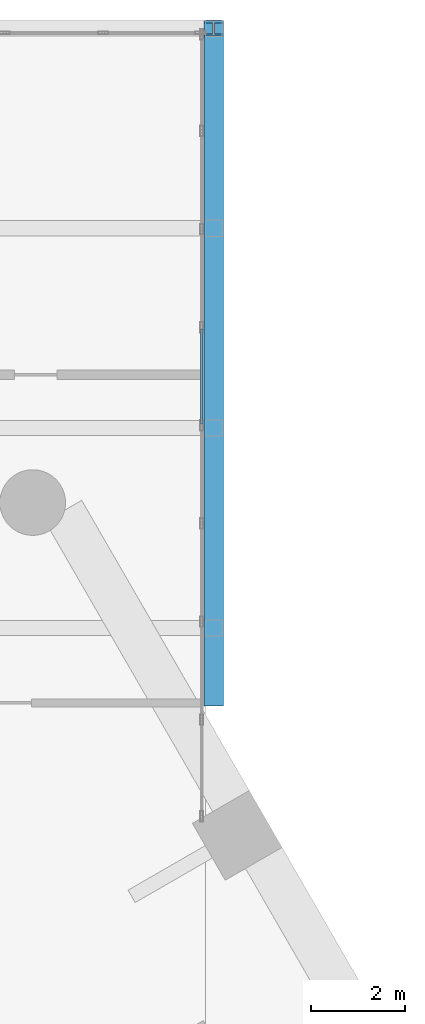
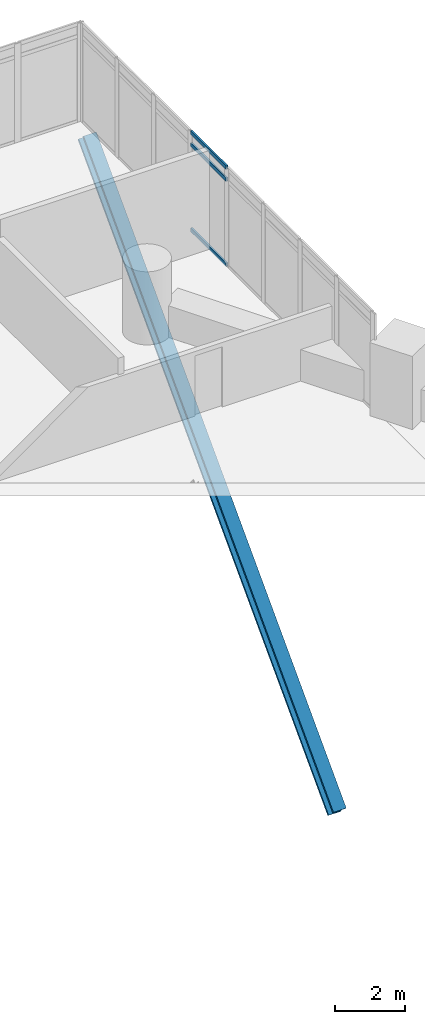
# One storey, part 25 of 38: 4 members, 1 element without a shape of its own.
"""IFC4 building model written with IfcOpenShell, lengths in metres."""

from ifc_helpers import new_model, si_unit, direction, frame, origin, origin_2d, place, context, subcontext, project, spatial, hollow_rectangle, i_section, extrude, material, material_profile, profile_set, type_object, element, aggregate, save


model = new_model("IFC4")

# Units and contexts
model_context = context("Model", 3, precision=1e-05, world=origin(), true_north=direction((0.0, 1.0)))
body_context = subcontext(model_context, "Body", "Model", "MODEL_VIEW")
ifc_project = project(units=[si_unit("LENGTHUNIT", "METRE"), si_unit("AREAUNIT", "SQUARE_METRE"), si_unit("VOLUMEUNIT", "CUBIC_METRE"), si_unit("PLANEANGLEUNIT", "RADIAN"), si_unit("MASSUNIT", "GRAM", prefix="KILO")], contexts=[model_context])

# Site, building, storey
site_placement = place(None, origin())
site = spatial("IfcSite", under=ifc_project, at=site_placement, CompositionType="ELEMENT")
building_placement = place(site_placement, origin())
building = spatial("IfcBuilding", under=site, at=building_placement, Name="Ostrander Bayou Hotel Tower", CompositionType="ELEMENT")
storey_placement = place(building_placement, frame((0.0, 0.0, 65.5)))
storey = spatial("IfcBuildingStorey", under=building, at=storey_placement, Name="L16", CompositionType="ELEMENT", Elevation=65.5)

# Curtain wall, members
ifc_material_1 = material(Name="Aluminium and clear glass", Category="aluminium")
curtain_wall_type = type_object("IfcCurtainWallType", Name="CW-BAR glazed wall", PredefinedType="NOTDEFINED", material=ifc_material_1)
curtain_wall_placement = place(storey_placement, origin())
curtain_wall = element("IfcCurtainWall", 1, at=curtain_wall_placement, inside=storey, type_object=curtain_wall_type, Name="CW-BAR L16:SB1N:W", PredefinedType="NOTDEFINED")
ifc_material_2 = material(Name="Aluminium", Category="aluminium")
ifc_material_profile_1 = material_profile(ifc_material_2, hollow_rectangle(XDim=0.06005859375, YDim=0.1298828125, WallThickness=0.00390625, at=origin_2d()))
ifc_profile_set_1 = profile_set([ifc_material_profile_1], Name="Aluminium")
member_type_1 = type_object("IfcMemberType", Name="CW-BR transom 60 x 130 mm", PredefinedType="USERDEFINED", material=ifc_profile_set_1)
member_1_placement = place(storey_placement, frame((14.712158203125, 22.54638671875, 0.030029296875), z_axis=(0.0, 1.0, 0.0), x_axis=(-1.0, 0.0, 0.0)))
member_1 = element("IfcMember", 2, at=member_1_placement, type_object=member_type_1, Name="CW-BAR transom 5.1", ObjectType="TRANSOM", PredefinedType="USERDEFINED", context=body_context, shape_type="SweptSolid", body=[
    extrude(hollow_rectangle(XDim=0.06005859375, YDim=0.1298828125, WallThickness=0.00390625, at=origin_2d()), origin(), (0.0, 0.0, 1.0), 2.032470703125),
])
member_2_placement = place(storey_placement, frame((14.712158203125, 22.54638671875, 3.0), z_axis=(0.0, 1.0, 0.0), x_axis=(-1.0, 0.0, 0.0)))
member_2 = element("IfcMember", 3, at=member_2_placement, type_object=member_type_1, Name="CW-BAR transom 5.2", ObjectType="TRANSOM", PredefinedType="USERDEFINED", context=body_context, shape_type="SweptSolid", body=[
    extrude(hollow_rectangle(XDim=0.06005859375, YDim=0.1298828125, WallThickness=0.00390625, at=origin_2d()), origin(), (0.0, 0.0, 1.0), 2.032470703125),
])
member_3_placement = place(storey_placement, frame((14.712158203125, 22.54638671875, 3.419921875), z_axis=(0.0, 1.0, 0.0), x_axis=(-1.0, 0.0, 0.0)))
member_3 = element("IfcMember", 4, at=member_3_placement, type_object=member_type_1, Name="CW-BAR transom 5.3", ObjectType="TRANSOM", PredefinedType="USERDEFINED", context=body_context, shape_type="SweptSolid", body=[
    extrude(hollow_rectangle(XDim=0.06005859375, YDim=0.1298828125, WallThickness=0.00390625, at=origin_2d()), origin(), (0.0, 0.0, 1.0), 2.032470703125),
])
aggregate(curtain_wall, [member_1, member_2, member_3])

# Member
ifc_material_3 = material(Name="Steel ASTM A992", Category="steel")
ifc_material_profile_2 = material_profile(ifc_material_3, i_section(OverallWidth=0.42138671875, OverallDepth=0.464599609375, WebThickness=0.044921875, FlangeThickness=0.072509765625, at=origin_2d()))
ifc_profile_set_2 = profile_set([ifc_material_profile_2], Name="Steel ASTM A992")
member_type_2 = type_object("IfcMemberType", Name="TK1 bar kicker strut W14x398", PredefinedType="BRACE", material=ifc_profile_set_2)
member_4_placement = place(storey_placement, frame((14.965087890625, 30.986083984375, -0.671875), z_axis=(0.0, -0.691447944516, -0.722426286914), x_axis=(1.0, 0.0, 0.0)))
element("IfcMember", 5, at=member_4_placement, inside=storey, type_object=member_type_2, Name="TK1 SB1WB kicker", PredefinedType="BRACE", context=body_context, shape_type="SweptSolid", body=[
    extrude(i_section(OverallWidth=0.42138671875, OverallDepth=0.464599609375, WebThickness=0.044921875, FlangeThickness=0.072509765625, at=origin_2d()), origin(), (0.0, 0.0, 1.0), 20.6640625),
])

save(model, "model.ifc")
